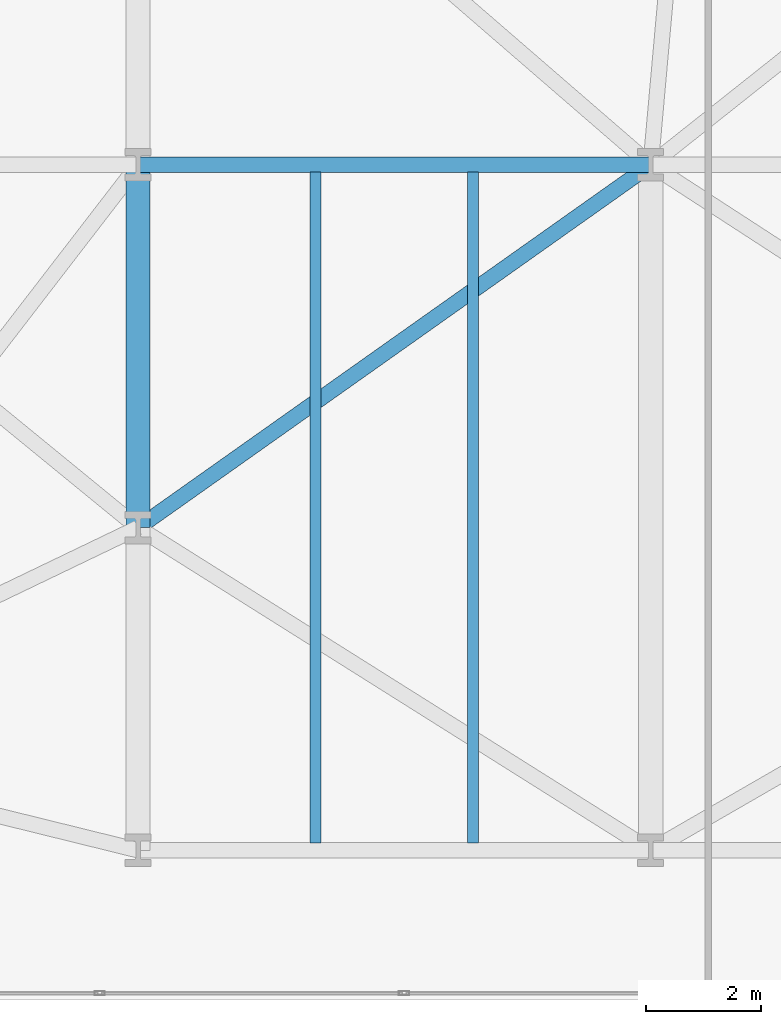
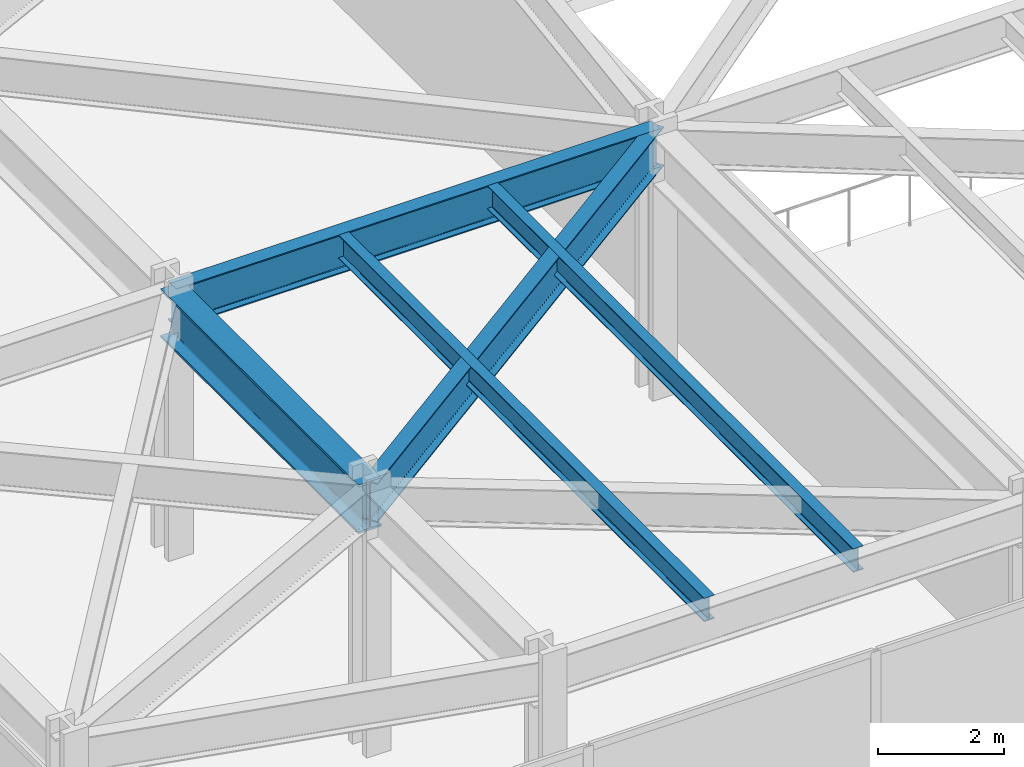
# One storey, part 5 of 29: 5 beams.
"""IFC4 building model written with IfcOpenShell, lengths in metres."""

from ifc_helpers import new_model, si_unit, direction, frame, origin, origin_2d, place, context, subcontext, project, spatial, i_section, extrude, material, material_profile, profile_set, type_object, element, save


model = new_model("IFC4")

# Units and contexts
model_context = context("Model", 3, precision=1e-05, world=origin(), true_north=direction((0.0, 1.0)))
body_context = subcontext(model_context, "Body", "Model", "MODEL_VIEW")
ifc_project = project(units=[si_unit("LENGTHUNIT", "METRE"), si_unit("AREAUNIT", "SQUARE_METRE"), si_unit("VOLUMEUNIT", "CUBIC_METRE"), si_unit("PLANEANGLEUNIT", "RADIAN"), si_unit("MASSUNIT", "GRAM", prefix="KILO")], contexts=[model_context])

# Site, building, storey
site_placement = place(None, origin())
site = spatial("IfcSite", under=ifc_project, at=site_placement, CompositionType="ELEMENT")
building_placement = place(site_placement, origin())
building = spatial("IfcBuilding", under=site, at=building_placement, Name="Kravanh Interchange Tower", CompositionType="ELEMENT")
storey_placement = place(building_placement, frame((0.0, 0.0, 5.39990234375)))
storey = spatial("IfcBuildingStorey", under=building, at=storey_placement, Name="L01", CompositionType="ELEMENT", Elevation=5.39990234375)

# Beams
ifc_material_1 = material(Name="Structural Steel S450", Category="steel")
ifc_material_profile_1 = material_profile(ifc_material_1, i_section(OverallWidth=0.423095703125, OverallDepth=0.947998046875, WebThickness=0.02392578125, FlangeThickness=0.042724609375, FilletRadius=0.028076171875, at=origin_2d()), Name="W36X302")
ifc_profile_set_1 = profile_set([ifc_material_profile_1], Name="Structural Steel S450")
beam_type_1 = type_object("IfcBeamType", Name="Floor Beam W36X302 Structural Steel S450", PredefinedType="BEAM", material=ifc_profile_set_1)
beam_1_placement = place(storey_placement, frame((8.60009765625, 8.199951171875, 4.656005859375), z_axis=(0.0, 1.0, 0.0), x_axis=(-1.0, 0.0, 0.0)))
element("IfcBeam", 1, at=beam_1_placement, inside=storey, type_object=beam_type_1, Name="L01 Primary Floor Girder 23", PredefinedType="BEAM", context=body_context, shape_type="SweptSolid", body=[
    extrude(i_section(OverallWidth=0.423095703125, OverallDepth=0.947998046875, WebThickness=0.02392578125, FlangeThickness=0.042724609375, FilletRadius=0.028076171875, at=origin_2d()), origin(), (0.0, 0.0, 1.0), 6.300048828125),
])
ifc_material_2 = material(Name="Structural Steel S355", Category="steel")
ifc_material_profile_2 = material_profile(ifc_material_2, i_section(OverallWidth=0.18994140625, OverallDepth=0.45703125, WebThickness=0.009033203125, FlangeThickness=0.014404296875, FilletRadius=0.01806640625, at=origin_2d()), Name="W18X50")
ifc_profile_set_2 = profile_set([ifc_material_profile_2], Name="Structural Steel S355")
beam_type_2 = type_object("IfcBeamType", Name="Floor Joist W18X50 Structural Steel S355", PredefinedType="JOIST", material=ifc_profile_set_2)
for number, where, z_axis, x_axis, name in (
    (2, (11.681884765625, 2.728515625, 4.901611328125), (0.0, 1.0, 0.0), (-1.0, 0.0, 0.0), "L01 Secondary Floor Joist 1"),
    (3, (14.41796875, 2.728515625, 4.901611328125), (0.0, 1.0, 0.0), (-1.0, 0.0, 0.0), "L01 Secondary Floor Joist 2"),
):
    element("IfcBeam", number, at=place(storey_placement, frame(where, z_axis=z_axis, x_axis=x_axis)), inside=storey, type_object=beam_type_2, Name=name, PredefinedType="JOIST", context=body_context, shape_type="SweptSolid", body=[
        extrude(i_section(OverallWidth=0.18994140625, OverallDepth=0.45703125, WebThickness=0.009033203125, FlangeThickness=0.014404296875, FilletRadius=0.01806640625, at=origin_2d()), origin(), (0.0, 0.0, 1.0), 11.64306640625),
    ])
ifc_material_3 = material(Name="Structural Steel S355", Category="steel")
ifc_material_profile_3 = material_profile(ifc_material_3, i_section(OverallWidth=0.26708984375, OverallDepth=0.761962890625, WebThickness=0.014404296875, FlangeThickness=0.021484375, FilletRadius=0.02490234375, at=origin_2d()), Name="W30X116")
ifc_profile_set_3 = profile_set([ifc_material_profile_3], Name="Structural Steel S355")
beam_type_3 = type_object("IfcBeamType", Name="Floor Spandrel W30X116 Structural Steel S355", PredefinedType="SPANDREL", material=ifc_profile_set_3)
beam_2_placement = place(storey_placement, frame((8.60009765625, 8.199951171875, 4.7490234375), z_axis=(0.816199576272, 0.577770068187, 0.0), x_axis=(-0.577770068187, 0.816199576272, 0.0)))
element("IfcBeam", 4, at=beam_2_placement, inside=storey, type_object=beam_type_3, Name="L01 Perimeter Spandrel 26", PredefinedType="SPANDREL", context=body_context, shape_type="SweptSolid", body=[
    extrude(i_section(OverallWidth=0.26708984375, OverallDepth=0.761962890625, WebThickness=0.014404296875, FlangeThickness=0.021484375, FilletRadius=0.02490234375, at=origin_2d()), origin(), (0.0, 0.0, 1.0), 10.904052734375),
])
beam_3_placement = place(storey_placement, frame((8.60009765625, 14.5, 4.7490234375), z_axis=(1.0, 0.0, 0.0), x_axis=(0.0, 1.0, 0.0)))
element("IfcBeam", 5, at=beam_3_placement, inside=storey, type_object=beam_type_3, Name="L01 Perimeter Spandrel 39", PredefinedType="SPANDREL", context=body_context, shape_type="SweptSolid", body=[
    extrude(i_section(OverallWidth=0.26708984375, OverallDepth=0.761962890625, WebThickness=0.014404296875, FlangeThickness=0.021484375, FilletRadius=0.02490234375, at=origin_2d()), origin(), (0.0, 0.0, 1.0), 8.89990234375),
])

save(model, "model.ifc")
